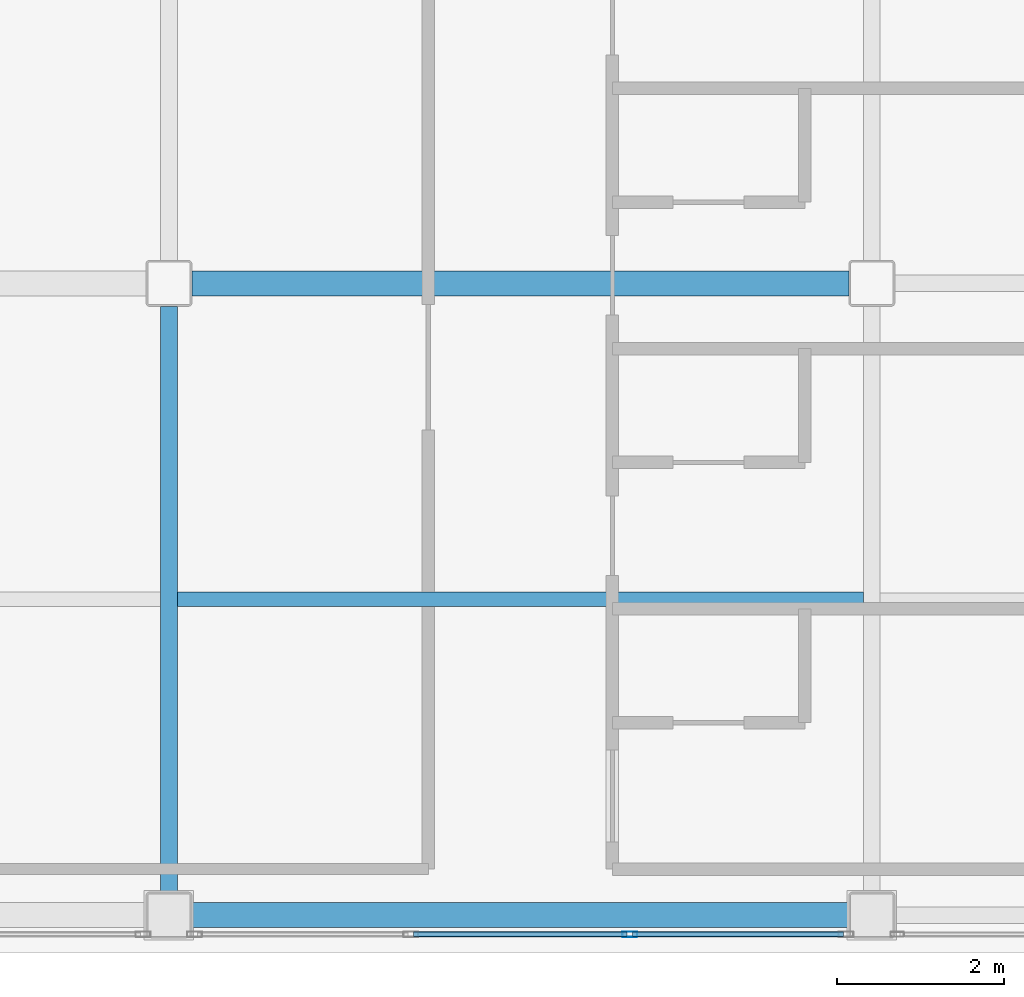
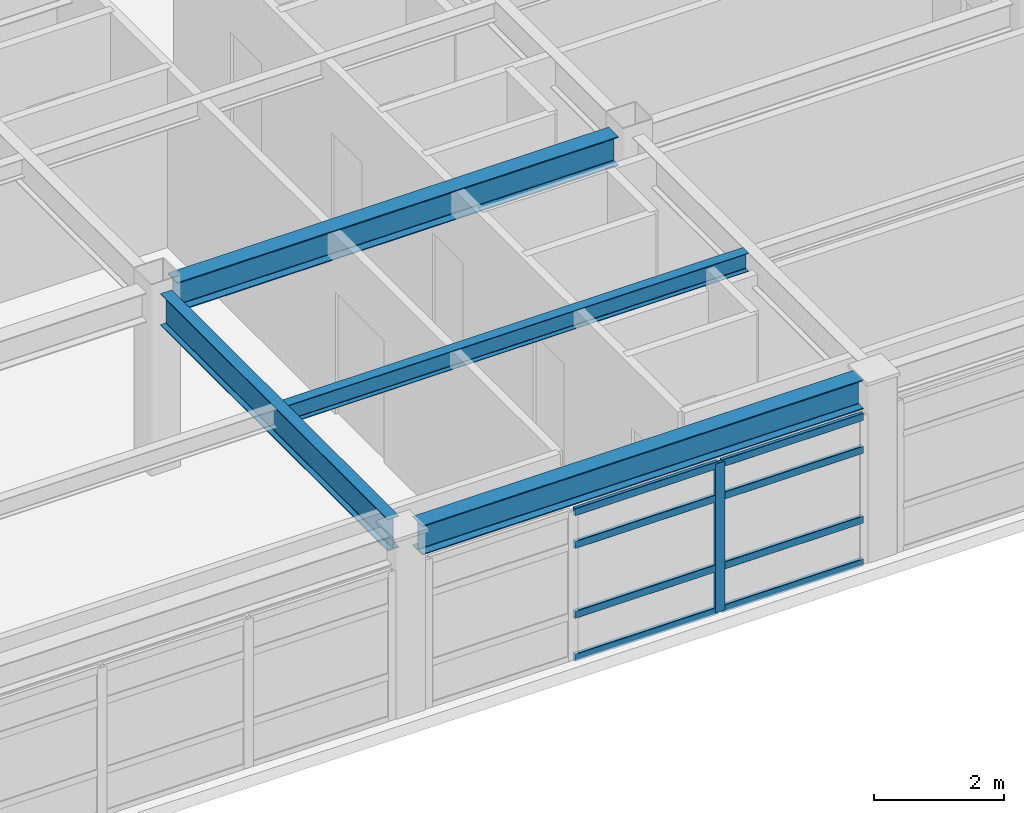
# One storey, part 4 of 36: 9 members, 4 beams, 1 element without a shape of its own.
"""IFC4 building model written with IfcOpenShell, lengths in metres."""

from ifc_helpers import new_model, si_unit, direction, frame, origin, origin_2d, place, context, subcontext, project, spatial, hollow_rectangle, i_section, extrude, material, layer, layer_set, material_profile, profile_set, type_object, element, aggregate, save


model = new_model("IFC4")

# Units and contexts
model_context = context("Model", 3, precision=1e-05, world=origin(), true_north=direction((0.0, 1.0)))
body_context = subcontext(model_context, "Body", "Model", "MODEL_VIEW")
ifc_project = project(units=[si_unit("LENGTHUNIT", "METRE"), si_unit("AREAUNIT", "SQUARE_METRE"), si_unit("VOLUMEUNIT", "CUBIC_METRE"), si_unit("PLANEANGLEUNIT", "RADIAN"), si_unit("MASSUNIT", "GRAM", prefix="KILO")], contexts=[model_context])

# Site, building, storey
site_placement = place(None, origin())
site = spatial("IfcSite", under=ifc_project, at=site_placement, CompositionType="ELEMENT")
building_placement = place(site_placement, origin())
building = spatial("IfcBuilding", under=site, at=building_placement, Name="Kazehara Bluff Congress Hotel", CompositionType="ELEMENT")
storey_placement = place(building_placement, frame((0.0, 0.0, 28.199951171875)))
storey = spatial("IfcBuildingStorey", under=building, at=storey_placement, Name="L06", CompositionType="ELEMENT", Elevation=28.199951171875)

# Curtain wall, members
ifc_material_1 = material(Name="Anodised aluminium", Category="aluminium")
ifc_layer = layer(ifc_material_1, 0.159912109375)
ifc_layer_set = layer_set([ifc_layer], Name="Anodised aluminium")
curtain_wall_type = type_object("IfcCurtainWallType", Name="TP-CW-172", PredefinedType="NOTDEFINED", material=ifc_layer_set)
curtain_wall_placement = place(storey_placement, origin())
curtain_wall = element("IfcCurtainWall", 1, at=curtain_wall_placement, inside=storey, type_object=curtain_wall_type, Name="L06 curtain wall CW-172 CW-ENC-V5-L06-15630-22", PredefinedType="NOTDEFINED")
ifc_material_2 = material(Name="Anodised aluminium", Category="aluminium")
ifc_material_profile_1 = material_profile(ifc_material_2, hollow_rectangle(XDim=0.06494140625, YDim=0.179931640625, WallThickness=0.00390625, InnerFilletRadius=0.00390625, OuterFilletRadius=0.008056640625, at=origin_2d()))
ifc_profile_set_1 = profile_set([ifc_material_profile_1], Name="Anodised aluminium")
member_type_1 = type_object("IfcMemberType", Name="TP-CWM-02", PredefinedType="MULLION", material=ifc_profile_set_1)
member_1_placement = place(storey_placement, frame((157.6083984375, 0.219970703125, 0.0), z_axis=(0.0, 0.0, 1.0), x_axis=(0.0, -1.0, 0.0)))
member_1 = element("IfcMember", 2, at=member_1_placement, type_object=member_type_1, Name="CW-172 mullion 2", PredefinedType="MULLION", context=body_context, shape_type="SweptSolid", body=[
    extrude(hollow_rectangle(XDim=0.06494140625, YDim=0.179931640625, WallThickness=0.00390625, InnerFilletRadius=0.00390625, OuterFilletRadius=0.008056640625, at=origin_2d()), origin(), (0.0, 0.0, 1.0), 2.804931640625),
])
ifc_material_3 = material(Name="Anodised aluminium", Category="aluminium")
ifc_material_profile_2 = material_profile(ifc_material_3, hollow_rectangle(XDim=0.06494140625, YDim=0.139892578125, WallThickness=0.00390625, InnerFilletRadius=0.00390625, OuterFilletRadius=0.008056640625, at=origin_2d()))
ifc_profile_set_2 = profile_set([ifc_material_profile_2], Name="Anodised aluminium")
member_type_2 = type_object("IfcMemberType", Name="TP-CWT-02", PredefinedType="USERDEFINED", material=ifc_profile_set_2)
member_2_placement = place(storey_placement, frame((160.159912109375, 0.219970703125, 0.032470703125), z_axis=(-1.0, 0.0, 0.0), x_axis=(0.0, -1.0, 0.0)))
member_2 = element("IfcMember", 3, at=member_2_placement, type_object=member_type_2, Name="CW-172 transom 1.1", ObjectType="TRANSOM", PredefinedType="USERDEFINED", context=body_context, shape_type="SweptSolid", body=[
    extrude(hollow_rectangle(XDim=0.06494140625, YDim=0.139892578125, WallThickness=0.00390625, InnerFilletRadius=0.00390625, OuterFilletRadius=0.008056640625, at=origin_2d()), origin(), (0.0, 0.0, 1.0), 2.51904296875),
])
member_3_placement = place(storey_placement, frame((160.159912109375, 0.219970703125, 0.840087890625), z_axis=(-1.0, 0.0, 0.0), x_axis=(0.0, -1.0, 0.0)))
member_3 = element("IfcMember", 4, at=member_3_placement, type_object=member_type_2, Name="CW-172 transom 1.2", ObjectType="TRANSOM", PredefinedType="USERDEFINED", context=body_context, shape_type="SweptSolid", body=[
    extrude(hollow_rectangle(XDim=0.06494140625, YDim=0.139892578125, WallThickness=0.00390625, InnerFilletRadius=0.00390625, OuterFilletRadius=0.008056640625, at=origin_2d()), origin(), (0.0, 0.0, 1.0), 2.51904296875),
])
member_4_placement = place(storey_placement, frame((160.159912109375, 0.219970703125, 2.155029296875), z_axis=(-1.0, 0.0, 0.0), x_axis=(0.0, -1.0, 0.0)))
member_4 = element("IfcMember", 5, at=member_4_placement, type_object=member_type_2, Name="CW-172 transom 1.3", ObjectType="TRANSOM", PredefinedType="USERDEFINED", context=body_context, shape_type="SweptSolid", body=[
    extrude(hollow_rectangle(XDim=0.06494140625, YDim=0.139892578125, WallThickness=0.00390625, InnerFilletRadius=0.00390625, OuterFilletRadius=0.008056640625, at=origin_2d()), origin(), (0.0, 0.0, 1.0), 2.51904296875),
])
member_5_placement = place(storey_placement, frame((160.159912109375, 0.219970703125, 2.7724609375), z_axis=(-1.0, 0.0, 0.0), x_axis=(0.0, -1.0, 0.0)))
member_5 = element("IfcMember", 6, at=member_5_placement, type_object=member_type_2, Name="CW-172 transom 1.4", ObjectType="TRANSOM", PredefinedType="USERDEFINED", context=body_context, shape_type="SweptSolid", body=[
    extrude(hollow_rectangle(XDim=0.06494140625, YDim=0.139892578125, WallThickness=0.00390625, InnerFilletRadius=0.00390625, OuterFilletRadius=0.008056640625, at=origin_2d()), origin(), (0.0, 0.0, 1.0), 2.51904296875),
])
member_6_placement = place(storey_placement, frame((157.575927734375, 0.219970703125, 0.032470703125), z_axis=(-1.0, 0.0, 0.0), x_axis=(0.0, -1.0, 0.0)))
member_6 = element("IfcMember", 7, at=member_6_placement, type_object=member_type_2, Name="CW-172 transom 2.1", ObjectType="TRANSOM", PredefinedType="USERDEFINED", context=body_context, shape_type="SweptSolid", body=[
    extrude(hollow_rectangle(XDim=0.06494140625, YDim=0.139892578125, WallThickness=0.00390625, InnerFilletRadius=0.00390625, OuterFilletRadius=0.008056640625, at=origin_2d()), origin(), (0.0, 0.0, 1.0), 2.5517578125),
])
member_7_placement = place(storey_placement, frame((157.575927734375, 0.219970703125, 0.840087890625), z_axis=(-1.0, 0.0, 0.0), x_axis=(0.0, -1.0, 0.0)))
member_7 = element("IfcMember", 8, at=member_7_placement, type_object=member_type_2, Name="CW-172 transom 2.2", ObjectType="TRANSOM", PredefinedType="USERDEFINED", context=body_context, shape_type="SweptSolid", body=[
    extrude(hollow_rectangle(XDim=0.06494140625, YDim=0.139892578125, WallThickness=0.00390625, InnerFilletRadius=0.00390625, OuterFilletRadius=0.008056640625, at=origin_2d()), origin(), (0.0, 0.0, 1.0), 2.5517578125),
])
member_8_placement = place(storey_placement, frame((157.575927734375, 0.219970703125, 2.155029296875), z_axis=(-1.0, 0.0, 0.0), x_axis=(0.0, -1.0, 0.0)))
member_8 = element("IfcMember", 9, at=member_8_placement, type_object=member_type_2, Name="CW-172 transom 2.3", ObjectType="TRANSOM", PredefinedType="USERDEFINED", context=body_context, shape_type="SweptSolid", body=[
    extrude(hollow_rectangle(XDim=0.06494140625, YDim=0.139892578125, WallThickness=0.00390625, InnerFilletRadius=0.00390625, OuterFilletRadius=0.008056640625, at=origin_2d()), origin(), (0.0, 0.0, 1.0), 2.5517578125),
])
member_9_placement = place(storey_placement, frame((157.575927734375, 0.219970703125, 2.7724609375), z_axis=(-1.0, 0.0, 0.0), x_axis=(0.0, -1.0, 0.0)))
member_9 = element("IfcMember", 10, at=member_9_placement, type_object=member_type_2, Name="CW-172 transom 2.4", ObjectType="TRANSOM", PredefinedType="USERDEFINED", context=body_context, shape_type="SweptSolid", body=[
    extrude(hollow_rectangle(XDim=0.06494140625, YDim=0.139892578125, WallThickness=0.00390625, InnerFilletRadius=0.00390625, OuterFilletRadius=0.008056640625, at=origin_2d()), origin(), (0.0, 0.0, 1.0), 2.5517578125),
])
aggregate(curtain_wall, [member_1, member_2, member_3, member_4, member_5, member_6, member_7, member_8, member_9])

# Beams
ifc_material_4 = material(Name="Steel SN490B", Category="steel")
ifc_material_profile_3 = material_profile(ifc_material_4, i_section(OverallWidth=0.199951171875, OverallDepth=0.60009765625, WebThickness=0.010986328125, FlangeThickness=0.01708984375, FilletRadius=0.012939453125, at=origin_2d()))
ifc_profile_set_3 = profile_set([ifc_material_profile_3], Name="Steel SN490B")
beam_type_1 = type_object("IfcBeamType", Name="TP-G-02", PredefinedType="BEAM", material=ifc_profile_set_3)
beam_1_placement = place(storey_placement, frame((152.10009765625, 0.72509765625, 3.080078125), z_axis=(0.0, 1.0, 0.0), x_axis=(-1.0, 0.0, 0.0)))
element("IfcBeam", 11, at=beam_1_placement, inside=storey, type_object=beam_type_1, Name="L06 girder G-02 13", PredefinedType="BEAM", context=body_context, shape_type="SweptSolid", body=[
    extrude(i_section(OverallWidth=0.199951171875, OverallDepth=0.60009765625, WebThickness=0.010986328125, FlangeThickness=0.01708984375, FilletRadius=0.012939453125, at=origin_2d()), origin(), (0.0, 0.0, 1.0), 7.0),
])
ifc_material_5 = material(Name="Steel SN490B", Category="steel")
ifc_material_profile_4 = material_profile(ifc_material_5, i_section(OverallWidth=0.300048828125, OverallDepth=0.550048828125, WebThickness=0.010986328125, FlangeThickness=0.01806640625, FilletRadius=0.012939453125, at=origin_2d()))
ifc_profile_set_4 = profile_set([ifc_material_profile_4], Name="Steel SN490B")
beam_type_2 = type_object("IfcBeamType", Name="TP-G-12", PredefinedType="BEAM", material=ifc_profile_set_4)
for number, where, z_axis, x_axis, name in (
    (12, (152.375, 0.449951171875, 3.10498046875), (1.0, 0.0, 0.0), (0.0, 1.0, 0.0), "L06 girder G-12 45"),
    (13, (152.375, 8.0, 3.10498046875), (1.0, 0.0, 0.0), (0.0, 1.0, 0.0), "L06 girder G-12 48"),
):
    element("IfcBeam", number, at=place(storey_placement, frame(where, z_axis=z_axis, x_axis=x_axis)), inside=storey, type_object=beam_type_2, Name=name, PredefinedType="BEAM", context=body_context, shape_type="SweptSolid", body=[
        extrude(i_section(OverallWidth=0.300048828125, OverallDepth=0.550048828125, WebThickness=0.010986328125, FlangeThickness=0.01806640625, FilletRadius=0.012939453125, at=origin_2d()), origin(), (0.0, 0.0, 1.0), 7.85009765625),
    ])
ifc_material_6 = material(Name="Steel SN400B", Category="steel")
ifc_material_profile_5 = material_profile(ifc_material_6, i_section(OverallWidth=0.175048828125, OverallDepth=0.35009765625, WebThickness=0.007080078125, FlangeThickness=0.010986328125, FilletRadius=0.012939453125, at=origin_2d()))
ifc_profile_set_5 = profile_set([ifc_material_profile_5], Name="Steel SN400B")
beam_type_3 = type_object("IfcBeamType", Name="TP-J-02", PredefinedType="JOIST", material=ifc_profile_set_5)
beam_2_placement = place(storey_placement, frame((152.199951171875, 4.22509765625, 3.205078125), z_axis=(1.0, 0.0, 0.0), x_axis=(0.0, 1.0, 0.0)))
element("IfcBeam", 14, at=beam_2_placement, inside=storey, type_object=beam_type_3, Name="L06 secondary joist J-02 10", PredefinedType="JOIST", context=body_context, shape_type="SweptSolid", body=[
    extrude(i_section(OverallWidth=0.175048828125, OverallDepth=0.35009765625, WebThickness=0.007080078125, FlangeThickness=0.010986328125, FilletRadius=0.012939453125, at=origin_2d()), origin(), (0.0, 0.0, 1.0), 8.199951171875),
])

save(model, "model.ifc")
